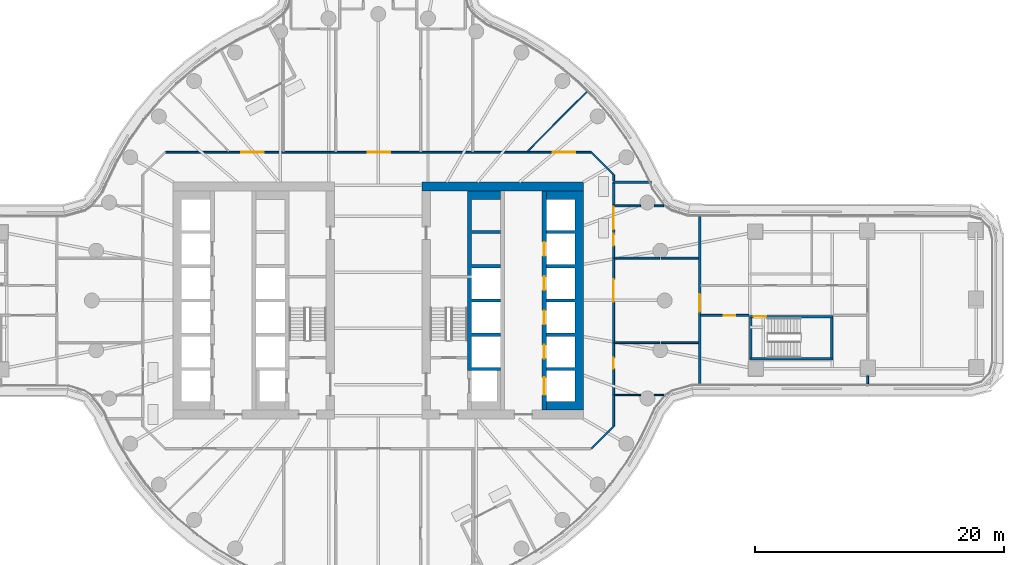
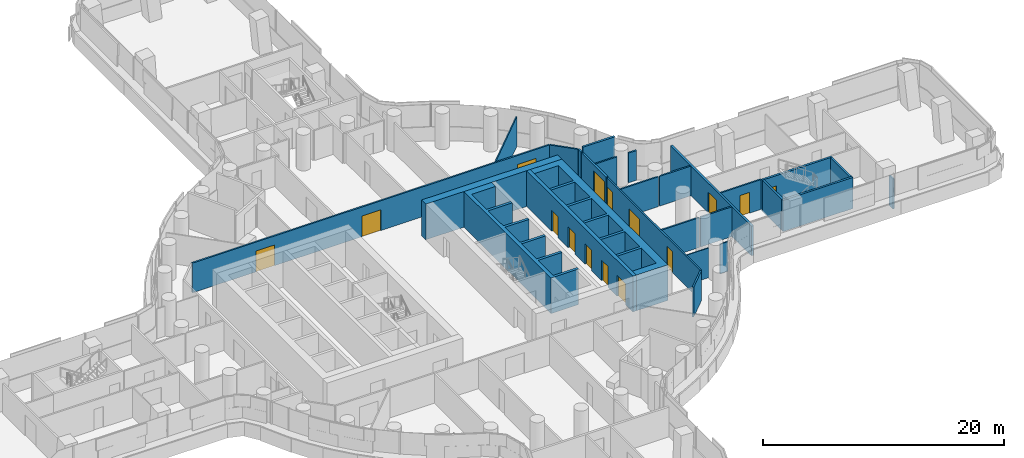
# One storey, part 22 of 32: 27 walls, 15 doors, 15 openings.
"""IFC4 building model written with IfcOpenShell, lengths in metres."""

from ifc_helpers import new_model, si_unit, direction, frame, frame_2d, origin, place, context, subcontext, project, spatial, polyline, rectangle, outline, extrude, material, layer, layer_set, type_object, element, fill, save


model = new_model("IFC4")

# Units and contexts
model_context = context("Model", 3, precision=1e-05, world=origin(), true_north=direction((0.0, 1.0)))
body_context = subcontext(model_context, "Body", "Model", "MODEL_VIEW")
ifc_project = project(units=[si_unit("LENGTHUNIT", "METRE"), si_unit("AREAUNIT", "SQUARE_METRE"), si_unit("VOLUMEUNIT", "CUBIC_METRE"), si_unit("PLANEANGLEUNIT", "RADIAN"), si_unit("MASSUNIT", "GRAM", prefix="KILO")], contexts=[model_context])

# Site, building, storey
site_placement = place(None, origin())
site = spatial("IfcSite", under=ifc_project, at=site_placement, CompositionType="ELEMENT")
building_placement = place(site_placement, origin())
building = spatial("IfcBuilding", under=site, at=building_placement, Name="Tamarind Cross Interchange Tower", CompositionType="ELEMENT")
storey_placement = place(building_placement, frame((0.0, 0.0, 34.0)))
storey = spatial("IfcBuildingStorey", under=building, at=storey_placement, Name="L06", CompositionType="ELEMENT", Elevation=34.0)

# Wall, opening, door
ifc_material_1 = material(Name="Concrete C40", Category="concrete")
ifc_layer_1 = layer(ifc_material_1, 0.199951171875)
ifc_layer_set_1 = layer_set([ifc_layer_1], Name="Concrete C40")
wall_type_1 = type_object("IfcWallType", Name="Balcony and garden door wall", PredefinedType="SOLIDWALL", material=ifc_layer_set_1)
wall_1_placement = place(storey_placement, frame((18.89990234375, 5.462890625, 0.0), z_axis=(0.0, 0.0, 1.0), x_axis=(0.0, 1.0, 0.0)))
wall_1 = element("IfcWall", 1, at=wall_1_placement, inside=storey, type_object=wall_type_1, Name="EXW-L06-WG-L06-EN", PredefinedType="SOLIDWALL", context=body_context, shape_type="SweptSolid", body=[
    extrude(rectangle(XDim=4.037109375, YDim=0.199951171875, at=frame_2d((2.0185546875, 0.0))), origin(), (0.0, 0.0, 1.0), 3.013916015625),
])
opening_1_placement = place(wall_1_placement, frame((0.25, 0.0, 0.0)))
opening_1 = element("IfcOpeningElement", 2, at=opening_1_placement, cuts=wall_1, Name="Opening D6", PredefinedType="OPENING", context=body_context, shape_type="SweptSolid", body=[
    extrude(rectangle(XDim=1.800048828125, YDim=2.39990234375, at=frame_2d((0.89990234375, 1.199951171875))), frame((0.0, 0.10986328125, 0.0), z_axis=(0.0, -1.0, 0.0), x_axis=(1.0, 0.0, 0.0)), (0.0, 0.0, 1.0), 0.219970703125),
])
ifc_material_2 = material(Name="Aluminium and toughened glass, fire-resisting", Category="aluminium")
door_type_1 = type_object("IfcDoorType", Name="Roof garden door, fire-resisting", OperationType="DOUBLE_DOOR_SINGLE_SWING", PredefinedType="DOOR", material=ifc_material_2)
door_1_placement = place(opening_1_placement, origin())
door_1 = element("IfcDoor", 3, at=door_1_placement, inside=storey, type_object=door_type_1, Name="DOR-L06-WG-L06-EN", OperationType="SINGLE_SWING_LEFT", OverallHeight=2.39990234375, OverallWidth=1.800048828125, PredefinedType="DOOR", context=body_context, shape_type="SweptSolid", body=[
    extrude(rectangle(XDim=1.800048828125, YDim=2.39990234375, at=frame_2d((0.89990234375, 1.199951171875))), frame((0.0, 0.02490234375, 0.0), z_axis=(0.0, -1.0, 0.0), x_axis=(1.0, 0.0, 0.0)), (0.0, 0.0, 1.0), 0.050048828125),
])
fill(opening_1, door_1)

# Walls
wall_2_placement = place(storey_placement, frame((18.89990234375, 9.5, 0.0), z_axis=(0.0, 0.0, 1.0), x_axis=(1.0, 0.0, 0.0)))
element("IfcWall", 4, at=wall_2_placement, inside=storey, type_object=wall_type_1, Name="EXW-L06-WG-L06-EN-R0", PredefinedType="SOLIDWALL", context=body_context, shape_type="SweptSolid", body=[
    extrude(rectangle(XDim=3.027587890625, YDim=0.199951171875, at=frame_2d((1.513671875, 0.0))), origin(), (0.0, 0.0, 1.0), 3.610107421875),
])
ifc_material_3 = material(Name="Concrete C80", Category="concrete")
ifc_layer_2 = layer(ifc_material_3, 0.699951171875)
ifc_layer_set_2 = layer_set([ifc_layer_2], Name="Concrete C80")
wall_type_2 = type_object("IfcWallType", Name="Core wall 700 mm Concrete C80", PredefinedType="SHEAR", material=ifc_layer_set_2)
wall_3_placement = place(storey_placement, origin())
element("IfcWall", 5, at=wall_3_placement, inside=storey, type_object=wall_type_2, Name="Core wall CWL-L06-E-A", PredefinedType="SHEAR", context=body_context, shape_type="SweptSolid", body=[
    extrude(outline(polyline([(13.5, -8.800048828125), (15.800048828125, -8.800048828125), (16.5, -8.800048828125), (16.5, 8.800048828125), (15.800048828125, 8.800048828125), (13.5, 8.800048828125), (13.5, 8.125), (15.800048828125, 8.125), (15.800048828125, 5.625), (13.5, 5.625), (13.5, 5.375), (15.800048828125, 5.375), (15.800048828125, 2.875), (13.5, 2.875), (13.5, 2.625), (15.800048828125, 2.625), (15.800048828125, 0.125), (13.5, 0.125), (13.5, -0.125), (15.800048828125, -0.125), (15.800048828125, -2.625), (13.5, -2.625), (13.5, -2.875), (15.800048828125, -2.875), (15.800048828125, -5.375), (13.5, -5.375), (13.5, -5.625), (15.800048828125, -5.625), (15.800048828125, -8.125), (13.5, -8.125), (13.5, -8.800048828125)])), origin(), (0.0, 0.0, 1.0), 3.610107421875),
])
wall_4_placement = place(storey_placement, frame((16.5, 9.14990234375, 0.0), z_axis=(0.0, 0.0, 1.0), x_axis=(-1.0, 0.0, 0.0)))
element("IfcWall", 6, at=wall_4_placement, inside=storey, type_object=wall_type_2, Name="Core wall CWL-L06-E-NE", PredefinedType="SHEAR", context=body_context, shape_type="SweptSolid", body=[
    extrude(rectangle(XDim=13.0, YDim=0.699951171875, at=frame_2d((6.5, 0.0))), origin(), (0.0, 0.0, 1.0), 3.610107421875),
])
ifc_layer_3 = layer(ifc_material_3, 0.35009765625)
ifc_layer_set_3 = layer_set([ifc_layer_3], Name="Concrete C80")
wall_type_3 = type_object("IfcWallType", Name="Core web wall 350 mm Concrete C80", PredefinedType="SHEAR", material=ifc_layer_set_3)
wall_5_placement = place(storey_placement, origin())
element("IfcWall", 7, at=wall_5_placement, inside=storey, type_object=wall_type_3, Name="Core wall CWL-L06-E-BN", PredefinedType="SHEAR", context=body_context, shape_type="SweptSolid", body=[
    extrude(outline(polyline([(9.800048828125, -5.375), (7.5, -5.375), (7.5, -2.875), (9.800048828125, -2.875), (9.800048828125, -2.625), (7.5, -2.625), (7.5, -0.125), (9.800048828125, -0.125), (9.800048828125, 0.125), (7.5, 0.125), (7.5, 2.625), (9.800048828125, 2.625), (9.800048828125, 2.875), (7.5, 2.875), (7.5, 5.375), (9.800048828125, 5.375), (9.800048828125, 5.625), (7.5, 5.625), (7.5, 8.125), (9.800048828125, 8.125), (9.800048828125, 8.800048828125), (7.5, 8.800048828125), (7.14990234375, 8.800048828125), (7.14990234375, -5.625), (7.5, -5.625), (9.800048828125, -5.625), (9.800048828125, -5.375)])), origin(), (0.0, 0.0, 1.0), 3.610107421875),
])

# Wall, openings, doors
wall_6_placement = place(storey_placement, frame((13.324951171875, -8.800048828125, 0.0), z_axis=(0.0, 0.0, 1.0), x_axis=(0.0, 1.0, 0.0)))
wall_6 = element("IfcWall", 8, at=wall_6_placement, inside=storey, type_object=wall_type_3, Name="Core wall CWL-L06-E-LA", PredefinedType="SHEAR", context=body_context, shape_type="SweptSolid", body=[
    extrude(rectangle(XDim=17.60009765625, YDim=0.35009765625, at=frame_2d((8.800048828125, 0.0))), origin(), (0.0, 0.0, 1.0), 3.610107421875),
])
opening_2_placement = place(wall_6_placement, frame((1.22509765625, 0.0, 0.0)))
opening_2 = element("IfcOpeningElement", 9, at=opening_2_placement, cuts=wall_6, Name="Opening LD13L06", PredefinedType="OPENING", context=body_context, shape_type="SweptSolid", body=[
    extrude(rectangle(XDim=1.39990234375, YDim=2.10009765625, at=frame_2d((0.699951171875, 1.050048828125))), frame((0.0, 0.18505859375, 0.0), z_axis=(0.0, -1.0, 0.0), x_axis=(1.0, 0.0, 0.0)), (0.0, 0.0, 1.0), 0.3701171875),
])
opening_3_placement = place(wall_6_placement, frame((4.125, 0.0, 0.0)))
opening_3 = element("IfcOpeningElement", 10, at=opening_3_placement, cuts=wall_6, Name="Opening LD14L06", PredefinedType="OPENING", context=body_context, shape_type="SweptSolid", body=[
    extrude(rectangle(XDim=1.10009765625, YDim=2.10009765625, at=frame_2d((0.550048828125, 1.050048828125))), frame((0.0, 0.18505859375, 0.0), z_axis=(0.0, -1.0, 0.0), x_axis=(1.0, 0.0, 0.0)), (0.0, 0.0, 1.0), 0.3701171875),
])
opening_4_placement = place(wall_6_placement, frame((6.875, 0.0, 0.0)))
opening_4 = element("IfcOpeningElement", 11, at=opening_4_placement, cuts=wall_6, Name="Opening LD15L06", PredefinedType="OPENING", context=body_context, shape_type="SweptSolid", body=[
    extrude(rectangle(XDim=1.10009765625, YDim=2.10009765625, at=frame_2d((0.550048828125, 1.050048828125))), frame((0.0, 0.18505859375, 0.0), z_axis=(0.0, -1.0, 0.0), x_axis=(1.0, 0.0, 0.0)), (0.0, 0.0, 1.0), 0.3701171875),
])
opening_5_placement = place(wall_6_placement, frame((9.625, 0.0, 0.0)))
opening_5 = element("IfcOpeningElement", 12, at=opening_5_placement, cuts=wall_6, Name="Opening LD16L06", PredefinedType="OPENING", context=body_context, shape_type="SweptSolid", body=[
    extrude(rectangle(XDim=1.10009765625, YDim=2.10009765625, at=frame_2d((0.550048828125, 1.050048828125))), frame((0.0, 0.18505859375, 0.0), z_axis=(0.0, -1.0, 0.0), x_axis=(1.0, 0.0, 0.0)), (0.0, 0.0, 1.0), 0.3701171875),
])
opening_6_placement = place(wall_6_placement, frame((12.375, 0.0, 0.0)))
opening_6 = element("IfcOpeningElement", 13, at=opening_6_placement, cuts=wall_6, Name="Opening LD17L06", PredefinedType="OPENING", context=body_context, shape_type="SweptSolid", body=[
    extrude(rectangle(XDim=1.10009765625, YDim=2.10009765625, at=frame_2d((0.550048828125, 1.050048828125))), frame((0.0, 0.18505859375, 0.0), z_axis=(0.0, -1.0, 0.0), x_axis=(1.0, 0.0, 0.0)), (0.0, 0.0, 1.0), 0.3701171875),
])
ifc_material_4 = material(Name="Stainless steel panel", Category="steel")
door_type_2 = type_object("IfcDoorType", Name="Lift landing door 1100 x 2100 E 120", OperationType="SLIDING_TO_LEFT", PredefinedType="DOOR", material=ifc_material_4)
door_2_placement = place(opening_3_placement, origin())
door_2 = element("IfcDoor", 14, at=door_2_placement, inside=storey, type_object=door_type_2, Name="L06 landing door LF14", OperationType="SLIDING_TO_LEFT", OverallHeight=2.10009765625, OverallWidth=1.10009765625, PredefinedType="DOOR", context=body_context, shape_type="SweptSolid", body=[
    extrude(rectangle(XDim=1.10009765625, YDim=2.10009765625, at=frame_2d((0.550048828125, 1.050048828125))), frame((0.0, 0.02490234375, 0.0), z_axis=(0.0, -1.0, 0.0), x_axis=(1.0, 0.0, 0.0)), (0.0, 0.0, 1.0), 0.050048828125),
])
fill(opening_3, door_2)
door_3_placement = place(opening_4_placement, origin())
door_3 = element("IfcDoor", 15, at=door_3_placement, inside=storey, type_object=door_type_2, Name="L06 landing door LF15", OperationType="SLIDING_TO_LEFT", OverallHeight=2.10009765625, OverallWidth=1.10009765625, PredefinedType="DOOR", context=body_context, shape_type="SweptSolid", body=[
    extrude(rectangle(XDim=1.10009765625, YDim=2.10009765625, at=frame_2d((0.550048828125, 1.050048828125))), frame((0.0, 0.02490234375, 0.0), z_axis=(0.0, -1.0, 0.0), x_axis=(1.0, 0.0, 0.0)), (0.0, 0.0, 1.0), 0.050048828125),
])
fill(opening_4, door_3)
door_4_placement = place(opening_5_placement, origin())
door_4 = element("IfcDoor", 16, at=door_4_placement, inside=storey, type_object=door_type_2, Name="L06 landing door LF16", OperationType="SLIDING_TO_LEFT", OverallHeight=2.10009765625, OverallWidth=1.10009765625, PredefinedType="DOOR", context=body_context, shape_type="SweptSolid", body=[
    extrude(rectangle(XDim=1.10009765625, YDim=2.10009765625, at=frame_2d((0.550048828125, 1.050048828125))), frame((0.0, 0.02490234375, 0.0), z_axis=(0.0, -1.0, 0.0), x_axis=(1.0, 0.0, 0.0)), (0.0, 0.0, 1.0), 0.050048828125),
])
fill(opening_5, door_4)
door_5_placement = place(opening_6_placement, origin())
door_5 = element("IfcDoor", 17, at=door_5_placement, inside=storey, type_object=door_type_2, Name="L06 landing door LF17", OperationType="SLIDING_TO_LEFT", OverallHeight=2.10009765625, OverallWidth=1.10009765625, PredefinedType="DOOR", context=body_context, shape_type="SweptSolid", body=[
    extrude(rectangle(XDim=1.10009765625, YDim=2.10009765625, at=frame_2d((0.550048828125, 1.050048828125))), frame((0.0, 0.02490234375, 0.0), z_axis=(0.0, -1.0, 0.0), x_axis=(1.0, 0.0, 0.0)), (0.0, 0.0, 1.0), 0.050048828125),
])
fill(opening_6, door_5)
door_type_3 = type_object("IfcDoorType", Name="Lift landing door 1400 x 2100 E 120", OperationType="SLIDING_TO_LEFT", PredefinedType="DOOR", material=ifc_material_4)
door_6_placement = place(opening_2_placement, origin())
door_6 = element("IfcDoor", 18, at=door_6_placement, inside=storey, type_object=door_type_3, Name="L06 landing door LF13", OperationType="SLIDING_TO_LEFT", OverallHeight=2.10009765625, OverallWidth=1.39990234375, PredefinedType="DOOR", context=body_context, shape_type="SweptSolid", body=[
    extrude(rectangle(XDim=1.39990234375, YDim=2.10009765625, at=frame_2d((0.699951171875, 1.050048828125))), frame((0.0, 0.02490234375, 0.0), z_axis=(0.0, -1.0, 0.0), x_axis=(1.0, 0.0, 0.0)), (0.0, 0.0, 1.0), 0.050048828125),
])
fill(opening_2, door_6)

# Walls
ifc_material_5 = material(Name="Gypsum board partition on steel studs", Category="steel")
ifc_layer_4 = layer(ifc_material_5, 0.10009765625)
ifc_layer_set_4 = layer_set([ifc_layer_4], Name="Gypsum board partition on steel studs")
wall_type_4 = type_object("IfcWallType", Name="Partition 100 mm EI 90", PredefinedType="PARTITIONING", material=ifc_layer_set_4)
wall_7_placement = place(storey_placement, frame((18.955078125, -7.60009765625, 0.0), z_axis=(0.0, 0.0, 1.0), x_axis=(1.0, 0.0, 0.0)))
element("IfcWall", 19, at=wall_7_placement, inside=storey, type_object=wall_type_4, Name="Partition L06-021", PredefinedType="PARTITIONING", context=body_context, shape_type="SweptSolid", body=[
    extrude(rectangle(XDim=2.119140625, YDim=0.10009765625, at=frame_2d((1.0595703125, 0.0))), origin(), (0.0, 0.0, 1.0), 3.010009765625),
])
wall_8_placement = place(storey_placement, frame((22.151611328125, -7.60009765625, 0.0), z_axis=(0.0, 0.0, 1.0), x_axis=(1.0, 0.0, 0.0)))
element("IfcWall", 20, at=wall_8_placement, inside=storey, type_object=wall_type_4, Name="Partition L06-022", PredefinedType="PARTITIONING", context=body_context, shape_type="SweptSolid", body=[
    extrude(rectangle(XDim=0.76904296875, YDim=0.10009765625, at=frame_2d((0.384521484375, 0.0))), origin(), (0.0, 0.0, 1.0), 3.010009765625),
])
wall_9_placement = place(storey_placement, frame((11.991943359375, 11.991943359375, 0.0), z_axis=(0.0, 0.0, 1.0), x_axis=(0.707106781187, 0.707106781187, 0.0)))
element("IfcWall", 21, at=wall_9_placement, inside=storey, type_object=wall_type_4, Name="Partition L06-042", PredefinedType="PARTITIONING", context=body_context, shape_type="SweptSolid", body=[
    extrude(rectangle(XDim=6.71533203125, YDim=0.10009765625, at=frame_2d((3.357666015625, 0.0))), origin(), (0.0, 0.0, 1.0), 3.010009765625),
])
ifc_layer_5 = layer(ifc_material_5, 0.14990234375)
ifc_layer_set_5 = layer_set([ifc_layer_5], Name="Gypsum board partition on steel studs")
wall_type_5 = type_object("IfcWallType", Name="Partition 150 mm EI 120", PredefinedType="PARTITIONING", material=ifc_layer_set_5)
wall_10_placement = place(storey_placement, frame((17.12841796875, 11.87158203125, 0.0), z_axis=(0.0, 0.0, 1.0), x_axis=(0.707106781187, -0.707106781187, 0.0)))
element("IfcWall", 22, at=wall_10_placement, inside=storey, type_object=wall_type_5, Name="Partition L06-004", PredefinedType="PARTITIONING", context=body_context, shape_type="SweptSolid", body=[
    extrude(rectangle(XDim=2.465087890625, YDim=0.14990234375, at=frame_2d((1.232421875, 0.0))), origin(), (0.0, 0.0, 1.0), 3.010009765625),
])

# Wall, opening, door
wall_11_placement = place(storey_placement, frame((25.885009765625, -1.199951171875, 0.0), z_axis=(0.0, 0.0, 1.0), x_axis=(1.0, 0.0, 0.0)))
wall_11 = element("IfcWall", 23, at=wall_11_placement, inside=storey, type_object=wall_type_5, Name="Partition L06-006", PredefinedType="PARTITIONING", context=body_context, shape_type="SweptSolid", body=[
    extrude(rectangle(XDim=3.875, YDim=0.14990234375, at=frame_2d((1.9375, 0.0))), origin(), (0.0, 0.0, 1.0), 3.010009765625),
])
opening_7_placement = place(wall_11_placement, frame((1.864990234375, 0.0, 0.0)))
opening_7 = element("IfcOpeningElement", 24, at=opening_7_placement, cuts=wall_11, Name="Opening D03", PredefinedType="OPENING", context=body_context, shape_type="SweptSolid", body=[
    extrude(rectangle(XDim=0.89990234375, YDim=2.10009765625, at=frame_2d((0.449951171875, 1.050048828125))), frame((0.0, 0.0849609375, 0.0), z_axis=(0.0, -1.0, 0.0), x_axis=(1.0, 0.0, 0.0)), (0.0, 0.0, 1.0), 0.169921875),
])
ifc_material_6 = material(Name="Fire-resisting door set")
door_type_4 = type_object("IfcDoorType", Name="Interior door 900 x 2100 FD60S", OperationType="SINGLE_SWING_LEFT", PredefinedType="DOOR", material=ifc_material_6)
door_7_placement = place(opening_7_placement, frame((0.89990234375, 0.0, 0.0), z_axis=(0.0, 0.0, 1.0), x_axis=(-1.0, 0.0, 0.0)))
door_7 = element("IfcDoor", 25, at=door_7_placement, inside=storey, type_object=door_type_4, Name="Door D03", OperationType="SINGLE_SWING_RIGHT", OverallHeight=2.10009765625, OverallWidth=0.89990234375, PredefinedType="DOOR", context=body_context, shape_type="SweptSolid", body=[
    extrude(rectangle(XDim=0.89990234375, YDim=2.10009765625, at=frame_2d((0.449951171875, 1.050048828125))), frame((0.0, 0.02490234375, 0.0), z_axis=(0.0, -1.0, 0.0), x_axis=(1.0, 0.0, 0.0)), (0.0, 0.0, 1.0), 0.050048828125),
])
fill(opening_7, door_7)

# Walls
wall_12_placement = place(storey_placement, frame((18.955078125, -3.39990234375, 0.0), z_axis=(0.0, 0.0, 1.0), x_axis=(1.0, 0.0, 0.0)))
element("IfcWall", 26, at=wall_12_placement, inside=storey, type_object=wall_type_5, Name="Partition L06-013", PredefinedType="PARTITIONING", context=body_context, shape_type="SweptSolid", body=[
    extrude(rectangle(XDim=3.635498046875, YDim=0.14990234375, at=frame_2d((1.81787109375, 0.0))), origin(), (0.0, 0.0, 1.0), 3.010009765625),
])
wall_13_placement = place(storey_placement, frame((22.710693359375, -3.39990234375, 0.0), z_axis=(0.0, 0.0, 1.0), x_axis=(1.0, 0.0, 0.0)))
element("IfcWall", 27, at=wall_13_placement, inside=storey, type_object=wall_type_5, Name="Partition L06-014", PredefinedType="PARTITIONING", context=body_context, shape_type="SweptSolid", body=[
    extrude(rectangle(XDim=3.00439453125, YDim=0.14990234375, at=frame_2d((1.502197265625, 0.0))), origin(), (0.0, 0.0, 1.0), 3.010009765625),
])
wall_14_placement = place(storey_placement, frame((18.955078125, 3.39990234375, 0.0), z_axis=(0.0, 0.0, 1.0), x_axis=(1.0, 0.0, 0.0)))
element("IfcWall", 28, at=wall_14_placement, inside=storey, type_object=wall_type_5, Name="Partition L06-017", PredefinedType="PARTITIONING", context=body_context, shape_type="SweptSolid", body=[
    extrude(rectangle(XDim=3.635498046875, YDim=0.14990234375, at=frame_2d((1.81787109375, 0.0))), origin(), (0.0, 0.0, 1.0), 3.010009765625),
])
wall_15_placement = place(storey_placement, frame((22.710693359375, 3.39990234375, 0.0), z_axis=(0.0, 0.0, 1.0), x_axis=(1.0, 0.0, 0.0)))
element("IfcWall", 29, at=wall_15_placement, inside=storey, type_object=wall_type_5, Name="Partition L06-018", PredefinedType="PARTITIONING", context=body_context, shape_type="SweptSolid", body=[
    extrude(rectangle(XDim=3.00439453125, YDim=0.14990234375, at=frame_2d((1.502197265625, 0.0))), origin(), (0.0, 0.0, 1.0), 3.010009765625),
])
wall_16_placement = place(storey_placement, frame((18.89990234375, 7.60009765625, 0.0), z_axis=(0.0, 0.0, 1.0), x_axis=(1.0, 0.0, 0.0)))
element("IfcWall", 30, at=wall_16_placement, inside=storey, type_object=wall_type_5, Name="Partition L06-025", PredefinedType="PARTITIONING", context=body_context, shape_type="SweptSolid", body=[
    extrude(rectangle(XDim=2.17431640625, YDim=0.14990234375, at=frame_2d((1.087158203125, 0.0))), origin(), (0.0, 0.0, 1.0), 3.010009765625),
])
wall_17_placement = place(storey_placement, frame((22.151611328125, 7.60009765625, 0.0), z_axis=(0.0, 0.0, 1.0), x_axis=(1.0, 0.0, 0.0)))
element("IfcWall", 31, at=wall_17_placement, inside=storey, type_object=wall_type_5, Name="Partition L06-026", PredefinedType="PARTITIONING", context=body_context, shape_type="SweptSolid", body=[
    extrude(rectangle(XDim=0.770263671875, YDim=0.14990234375, at=frame_2d((0.38525390625, 0.0))), origin(), (0.0, 0.0, 1.0), 3.010009765625),
])

# Wall, openings, doors
wall_18_placement = place(storey_placement, frame((-17.06494140625, 11.89990234375, 0.0), z_axis=(0.0, 0.0, 1.0), x_axis=(1.0, 0.0, 0.0)))
wall_18 = element("IfcWall", 32, at=wall_18_placement, inside=storey, type_object=wall_type_5, Name="Partition L06-028", PredefinedType="PARTITIONING", context=body_context, shape_type="SweptSolid", body=[
    extrude(rectangle(XDim=34.1650390625, YDim=0.14990234375, at=frame_2d((17.08251953125, 0.0))), origin(), (0.0, 0.0, 1.0), 3.010009765625),
])
opening_8_placement = place(wall_18_placement, frame((16.215087890625, 0.0, 0.0)))
opening_8 = element("IfcOpeningElement", 33, at=opening_8_placement, cuts=wall_18, Name="Opening D10", PredefinedType="OPENING", context=body_context, shape_type="SweptSolid", body=[
    extrude(rectangle(XDim=1.800048828125, YDim=2.10009765625, at=frame_2d((0.89990234375, 1.050048828125))), frame((0.0, 0.0849609375, 0.0), z_axis=(0.0, -1.0, 0.0), x_axis=(1.0, 0.0, 0.0)), (0.0, 0.0, 1.0), 0.169921875),
])
opening_9_placement = place(wall_18_placement, frame((31.06494140625, 0.0, 0.0)))
opening_9 = element("IfcOpeningElement", 34, at=opening_9_placement, cuts=wall_18, Name="Opening D11", PredefinedType="OPENING", context=body_context, shape_type="SweptSolid", body=[
    extrude(rectangle(XDim=1.800048828125, YDim=2.10009765625, at=frame_2d((0.89990234375, 1.050048828125))), frame((0.0, 0.0849609375, 0.0), z_axis=(0.0, -1.0, 0.0), x_axis=(1.0, 0.0, 0.0)), (0.0, 0.0, 1.0), 0.169921875),
])
opening_10_placement = place(wall_18_placement, frame((6.06494140625, 0.0, 0.0)))
opening_10 = element("IfcOpeningElement", 35, at=opening_10_placement, cuts=wall_18, Name="Opening D12", PredefinedType="OPENING", context=body_context, shape_type="SweptSolid", body=[
    extrude(rectangle(XDim=1.800048828125, YDim=2.10009765625, at=frame_2d((0.89990234375, 1.050048828125))), frame((0.0, 0.0849609375, 0.0), z_axis=(0.0, -1.0, 0.0), x_axis=(1.0, 0.0, 0.0)), (0.0, 0.0, 1.0), 0.169921875),
])
door_type_5 = type_object("IfcDoorType", Name="Interior door 1800 x 2100 FD60S", OperationType="DOUBLE_DOOR_SINGLE_SWING", PredefinedType="DOOR", material=ifc_material_6)
door_8_placement = place(opening_8_placement, frame((1.800048828125, 0.0, 0.0), z_axis=(0.0, 0.0, 1.0), x_axis=(-1.0, 0.0, 0.0)))
door_8 = element("IfcDoor", 36, at=door_8_placement, inside=storey, type_object=door_type_5, Name="Door D10", OperationType="DOUBLE_DOOR_SINGLE_SWING", OverallHeight=2.10009765625, OverallWidth=1.800048828125, PredefinedType="DOOR", context=body_context, shape_type="SweptSolid", body=[
    extrude(rectangle(XDim=1.800048828125, YDim=2.10009765625, at=frame_2d((0.89990234375, 1.050048828125))), frame((0.0, 0.02490234375, 0.0), z_axis=(0.0, -1.0, 0.0), x_axis=(1.0, 0.0, 0.0)), (0.0, 0.0, 1.0), 0.050048828125),
])
fill(opening_8, door_8)
door_9_placement = place(opening_9_placement, origin())
door_9 = element("IfcDoor", 37, at=door_9_placement, inside=storey, type_object=door_type_5, Name="Door D11", OperationType="DOUBLE_DOOR_SINGLE_SWING", OverallHeight=2.10009765625, OverallWidth=1.800048828125, PredefinedType="DOOR", context=body_context, shape_type="SweptSolid", body=[
    extrude(rectangle(XDim=1.800048828125, YDim=2.10009765625, at=frame_2d((0.89990234375, 1.050048828125))), frame((0.0, 0.02490234375, 0.0), z_axis=(0.0, -1.0, 0.0), x_axis=(1.0, 0.0, 0.0)), (0.0, 0.0, 1.0), 0.050048828125),
])
fill(opening_9, door_9)
door_10_placement = place(opening_10_placement, origin())
door_10 = element("IfcDoor", 38, at=door_10_placement, inside=storey, type_object=door_type_5, Name="Door D12", OperationType="DOUBLE_DOOR_SINGLE_SWING", OverallHeight=2.10009765625, OverallWidth=1.800048828125, PredefinedType="DOOR", context=body_context, shape_type="SweptSolid", body=[
    extrude(rectangle(XDim=1.800048828125, YDim=2.10009765625, at=frame_2d((0.89990234375, 1.050048828125))), frame((0.0, 0.02490234375, 0.0), z_axis=(0.0, -1.0, 0.0), x_axis=(1.0, 0.0, 0.0)), (0.0, 0.0, 1.0), 0.050048828125),
])
fill(opening_10, door_10)

# Wall
wall_19_placement = place(storey_placement, frame((17.10009765625, -11.89990234375, 0.0), z_axis=(0.0, 0.0, 1.0), x_axis=(0.707106781187, 0.707106781187, 0.0)))
element("IfcWall", 39, at=wall_19_placement, inside=storey, type_object=wall_type_5, Name="Partition L06-043", PredefinedType="PARTITIONING", context=body_context, shape_type="SweptSolid", body=[
    extrude(rectangle(XDim=2.50537109375, YDim=0.14990234375, at=frame_2d((1.252685546875, 0.0))), origin(), (0.0, 0.0, 1.0), 3.010009765625),
])

# Wall, openings, doors
wall_20_placement = place(storey_placement, frame((18.89990234375, -10.10009765625, 0.0), z_axis=(0.0, 0.0, 1.0), x_axis=(0.0, 1.0, 0.0)))
wall_20 = element("IfcWall", 40, at=wall_20_placement, inside=storey, type_object=wall_type_5, Name="Partition L06-076", PredefinedType="PARTITIONING", context=body_context, shape_type="SweptSolid", body=[
    extrude(rectangle(XDim=15.462890625, YDim=0.14990234375, at=frame_2d((7.7314453125, 0.0))), origin(), (0.0, 0.0, 1.0), 3.010009765625),
])
opening_11_placement = place(wall_20_placement, frame((10.0, 0.0, 0.0)))
opening_11 = element("IfcOpeningElement", 41, at=opening_11_placement, cuts=wall_20, Name="Opening D36", PredefinedType="OPENING", context=body_context, shape_type="SweptSolid", body=[
    extrude(rectangle(XDim=1.800048828125, YDim=2.10009765625, at=frame_2d((0.89990234375, 1.050048828125))), frame((0.0, 0.0849609375, 0.0), z_axis=(0.0, -1.0, 0.0), x_axis=(1.0, 0.0, 0.0)), (0.0, 0.0, 1.0), 0.169921875),
])
opening_12_placement = place(wall_20_placement, frame((14.512939453125, 0.0, 0.0)))
opening_12 = element("IfcOpeningElement", 42, at=opening_12_placement, cuts=wall_20, Name="Opening D37", PredefinedType="OPENING", context=body_context, shape_type="SweptSolid", body=[
    extrude(rectangle(XDim=0.89990234375, YDim=2.10009765625, at=frame_2d((0.449951171875, 1.050048828125))), frame((0.0, 0.0849609375, 0.0), z_axis=(0.0, -1.0, 0.0), x_axis=(1.0, 0.0, 0.0)), (0.0, 0.0, 1.0), 0.169921875),
])
opening_13_placement = place(wall_20_placement, frame((4.60009765625, 0.0, 0.0)))
opening_13 = element("IfcOpeningElement", 43, at=opening_13_placement, cuts=wall_20, Name="Opening D38", PredefinedType="OPENING", context=body_context, shape_type="SweptSolid", body=[
    extrude(rectangle(XDim=0.89990234375, YDim=2.10009765625, at=frame_2d((0.449951171875, 1.050048828125))), frame((0.0, 0.0849609375, 0.0), z_axis=(0.0, -1.0, 0.0), x_axis=(1.0, 0.0, 0.0)), (0.0, 0.0, 1.0), 0.169921875),
])
door_11_placement = place(opening_11_placement, origin())
door_11 = element("IfcDoor", 44, at=door_11_placement, inside=storey, type_object=door_type_5, Name="Door D36", OperationType="DOUBLE_DOOR_SINGLE_SWING", OverallHeight=2.10009765625, OverallWidth=1.800048828125, PredefinedType="DOOR", context=body_context, shape_type="SweptSolid", body=[
    extrude(rectangle(XDim=1.800048828125, YDim=2.10009765625, at=frame_2d((0.89990234375, 1.050048828125))), frame((0.0, 0.02490234375, 0.0), z_axis=(0.0, -1.0, 0.0), x_axis=(1.0, 0.0, 0.0)), (0.0, 0.0, 1.0), 0.050048828125),
])
fill(opening_11, door_11)
door_12_placement = place(opening_12_placement, frame((0.89990234375, 0.0, 0.0), z_axis=(0.0, 0.0, 1.0), x_axis=(-1.0, 0.0, 0.0)))
door_12 = element("IfcDoor", 45, at=door_12_placement, inside=storey, type_object=door_type_4, Name="Door D37", OperationType="SINGLE_SWING_RIGHT", OverallHeight=2.10009765625, OverallWidth=0.89990234375, PredefinedType="DOOR", context=body_context, shape_type="SweptSolid", body=[
    extrude(rectangle(XDim=0.89990234375, YDim=2.10009765625, at=frame_2d((0.449951171875, 1.050048828125))), frame((0.0, 0.02490234375, 0.0), z_axis=(0.0, -1.0, 0.0), x_axis=(1.0, 0.0, 0.0)), (0.0, 0.0, 1.0), 0.050048828125),
])
fill(opening_12, door_12)
door_13_placement = place(opening_13_placement, frame((0.89990234375, 0.0, 0.0), z_axis=(0.0, 0.0, 1.0), x_axis=(-1.0, 0.0, 0.0)))
door_13 = element("IfcDoor", 46, at=door_13_placement, inside=storey, type_object=door_type_4, Name="Door D38", OperationType="SINGLE_SWING_LEFT", OverallHeight=2.10009765625, OverallWidth=0.89990234375, PredefinedType="DOOR", context=body_context, shape_type="SweptSolid", body=[
    extrude(rectangle(XDim=0.89990234375, YDim=2.10009765625, at=frame_2d((0.449951171875, 1.050048828125))), frame((0.0, 0.02490234375, 0.0), z_axis=(0.0, -1.0, 0.0), x_axis=(1.0, 0.0, 0.0)), (0.0, 0.0, 1.0), 0.050048828125),
])
fill(opening_13, door_13)

# Walls
wall_21_placement = place(storey_placement, frame((18.89990234375, 9.599853515625, 0.0), z_axis=(0.0, 0.0, 1.0), x_axis=(0.0, 1.0, 0.0)))
element("IfcWall", 47, at=wall_21_placement, inside=storey, type_object=wall_type_5, Name="Partition L06-077", PredefinedType="PARTITIONING", context=body_context, shape_type="SweptSolid", body=[
    extrude(rectangle(XDim=0.500244140625, YDim=0.14990234375, at=frame_2d((0.25, 0.0))), origin(), (0.0, 0.0, 1.0), 3.010009765625),
])
wall_22_placement = place(storey_placement, frame((39.300048828125, -6.698974609375, 0.0), z_axis=(0.0, 0.0, 1.0), x_axis=(0.0, 1.0, 0.0)))
element("IfcWall", 48, at=wall_22_placement, inside=storey, type_object=wall_type_5, Name="Partition L06-080", PredefinedType="PARTITIONING", context=body_context, shape_type="SweptSolid", body=[
    extrude(rectangle(XDim=0.64013671875, YDim=0.14990234375, at=frame_2d((0.320068359375, 0.0))), origin(), (0.0, 0.0, 1.0), 3.010009765625),
])

# Wall, opening, door
ifc_layer_6 = layer(ifc_material_5, 0.199951171875)
ifc_layer_set_6 = layer_set([ifc_layer_6], Name="Gypsum board partition on steel studs")
wall_type_6 = type_object("IfcWallType", Name="Partition 200 mm EI 180", PredefinedType="PARTITIONING", material=ifc_layer_set_6)
wall_23_placement = place(storey_placement, frame((25.800048828125, -6.698974609375, 0.0), z_axis=(0.0, 0.0, 1.0), x_axis=(0.0, 1.0, 0.0)))
wall_23 = element("IfcWall", 49, at=wall_23_placement, inside=storey, type_object=wall_type_6, Name="Partition L06-078", PredefinedType="PARTITIONING", context=body_context, shape_type="SweptSolid", body=[
    extrude(rectangle(XDim=13.440673828125, YDim=0.199951171875, at=frame_2d((6.72021484375, 0.0))), origin(), (0.0, 0.0, 1.0), 3.010009765625),
])
opening_14_placement = place(wall_23_placement, frame((5.799072265625, 0.0, 0.0)))
opening_14 = element("IfcOpeningElement", 50, at=opening_14_placement, cuts=wall_23, Name="Opening D39", PredefinedType="OPENING", context=body_context, shape_type="SweptSolid", body=[
    extrude(rectangle(XDim=1.39990234375, YDim=2.10009765625, at=frame_2d((0.699951171875, 1.050048828125))), frame((0.0, 0.10986328125, 0.0), z_axis=(0.0, -1.0, 0.0), x_axis=(1.0, 0.0, 0.0)), (0.0, 0.0, 1.0), 0.219970703125),
])
door_type_6 = type_object("IfcDoorType", Name="Interior door 1400 x 2100 FD120S", OperationType="DOUBLE_DOOR_SINGLE_SWING", PredefinedType="DOOR", material=ifc_material_6)
door_14_placement = place(opening_14_placement, origin())
door_14 = element("IfcDoor", 51, at=door_14_placement, inside=storey, type_object=door_type_6, Name="Door D39", OperationType="DOUBLE_DOOR_SINGLE_SWING", OverallHeight=2.10009765625, OverallWidth=1.39990234375, PredefinedType="DOOR", context=body_context, shape_type="SweptSolid", body=[
    extrude(rectangle(XDim=1.39990234375, YDim=2.10009765625, at=frame_2d((0.699951171875, 1.050048828125))), frame((0.0, 0.02490234375, 0.0), z_axis=(0.0, -1.0, 0.0), x_axis=(1.0, 0.0, 0.0)), (0.0, 0.0, 1.0), 0.050048828125),
])
fill(opening_14, door_14)

ifc_layer_7 = layer(ifc_material_1, 0.199951171875)
ifc_layer_set_7 = layer_set([ifc_layer_7], Name="Concrete C40")
wall_type_7 = type_object("IfcWallType", Name="Stair shaft wall 200 mm Concrete C40", PredefinedType="SHEAR", material=ifc_layer_set_7)
wall_24_placement = place(storey_placement, frame((29.800048828125, -1.300048828125, -0.139892578125), z_axis=(0.0, 0.0, 1.0), x_axis=(1.0, 0.0, 0.0)))
wall_24 = element("IfcWall", 52, at=wall_24_placement, inside=storey, type_object=wall_type_7, Name="Core wall CWL-L06-ST3-H", PredefinedType="SHEAR", context=body_context, shape_type="SweptSolid", body=[
    extrude(rectangle(XDim=6.699951171875, YDim=0.199951171875, at=frame_2d((3.35009765625, 0.0))), origin(), (0.0, 0.0, 1.0), 3.14990234375),
])
opening_15_placement = place(wall_24_placement, frame((0.35009765625, 0.0, 0.0)))
opening_15 = element("IfcOpeningElement", 53, at=opening_15_placement, cuts=wall_24, Name="Opening ST3L06", PredefinedType="OPENING", context=body_context, shape_type="SweptSolid", body=[
    extrude(rectangle(XDim=1.0, YDim=2.10009765625, at=frame_2d((0.5, 1.050048828125))), frame((0.0, 0.10986328125, 0.0), z_axis=(0.0, -1.0, 0.0), x_axis=(1.0, 0.0, 0.0)), (0.0, 0.0, 1.0), 0.219970703125),
])
ifc_material_7 = material(Name="Steel, fire-resisting", Category="steel")
door_type_7 = type_object("IfcDoorType", Name="Core fire door 1000 x 2100 FD90", OperationType="SINGLE_SWING_LEFT", PredefinedType="DOOR", material=ifc_material_7)
door_15_placement = place(opening_15_placement, origin())
door_15 = element("IfcDoor", 54, at=door_15_placement, inside=storey, type_object=door_type_7, Name="L06 stair door ST3", OperationType="SINGLE_SWING_LEFT", OverallHeight=2.10009765625, OverallWidth=1.0, PredefinedType="DOOR", context=body_context, shape_type="SweptSolid", body=[
    extrude(rectangle(XDim=1.0, YDim=2.10009765625, at=frame_2d((0.5, 1.050048828125))), frame((0.0, 0.02490234375, 0.0), z_axis=(0.0, -1.0, 0.0), x_axis=(1.0, 0.0, 0.0)), (0.0, 0.0, 1.0), 0.050048828125),
])
fill(opening_15, door_15)

# Walls
wall_25_placement = place(storey_placement, frame((29.800048828125, -4.699951171875, -0.139892578125), z_axis=(0.0, 0.0, 1.0), x_axis=(1.0, 0.0, 0.0)))
element("IfcWall", 55, at=wall_25_placement, inside=storey, type_object=wall_type_7, Name="Core wall CWL-L06-ST3-C", PredefinedType="SHEAR", context=body_context, shape_type="SweptSolid", body=[
    extrude(rectangle(XDim=6.699951171875, YDim=0.199951171875, at=frame_2d((3.35009765625, 0.0))), origin(), (0.0, 0.0, 1.0), 3.14990234375),
])
wall_26_placement = place(storey_placement, frame((29.89990234375, -4.60009765625, -0.139892578125), z_axis=(0.0, 0.0, 1.0), x_axis=(0.0, 1.0, 0.0)))
element("IfcWall", 56, at=wall_26_placement, inside=storey, type_object=wall_type_7, Name="Core wall CWL-L06-ST3-CE", PredefinedType="SHEAR", context=body_context, shape_type="SweptSolid", body=[
    extrude(rectangle(XDim=3.2001953125, YDim=0.199951171875, at=frame_2d((1.60009765625, 0.0))), origin(), (0.0, 0.0, 1.0), 3.14990234375),
])
wall_27_placement = place(storey_placement, frame((0.0, 0.0, -0.139892578125)))
element("IfcWall", 57, at=wall_27_placement, inside=storey, type_object=wall_type_7, Name="Core wall CWL-L06-ST3-CF", PredefinedType="SHEAR", context=body_context, shape_type="SweptSolid", body=[
    extrude(outline(polyline([(36.300048828125, -4.60009765625), (36.5, -4.60009765625), (36.5, -1.39990234375), (36.300048828125, -1.39990234375), (36.300048828125, -4.60009765625)])), origin(), (0.0, 0.0, 1.0), 3.14990234375),
])

save(model, "model.ifc")
